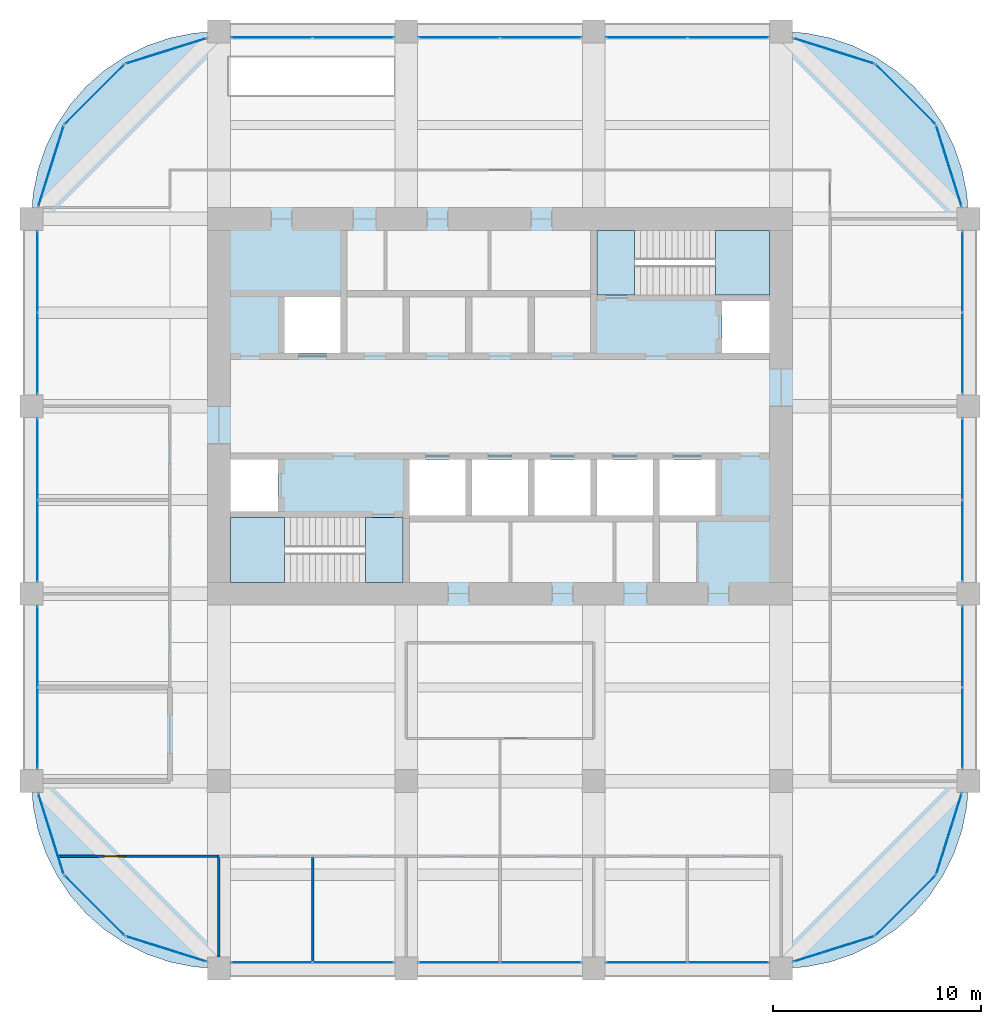
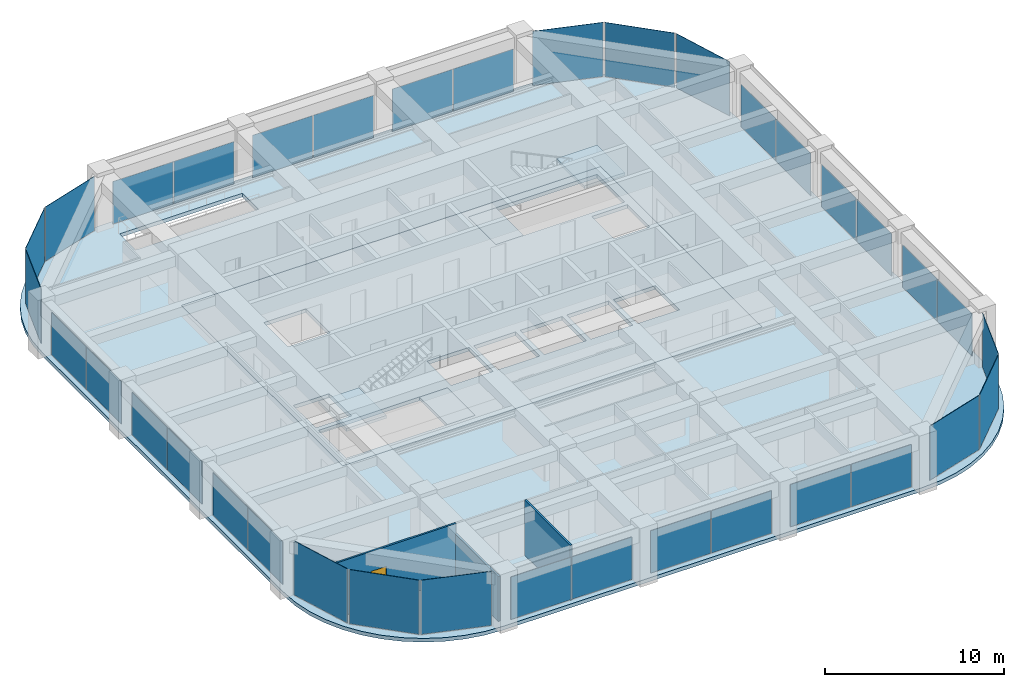
# One storey, part 40 of 44: 36 plates, 6 slabs, 3 walls, 1 door, 1 opening, 26 elements without a shape of their own.
"""IFC4 building model written with IfcOpenShell, lengths in metres."""

import ifcopenshell
import ifcopenshell.guid

model = None  # the IFC model being written
_history = None  # IfcOwnerHistory: only IFC2X3 demands one
_inside = {}  # id of a spatial element -> (the spatial element, [elements in it])
_under = {}  # id of a project, library or spatial element -> (it, [spatial elements below it])
_declared = {}  # id of a project -> (the project, [libraries it declares])
_typed = {}  # id of a type object -> (the type object, [elements of that type])
_made_of = {}  # id of a material, layer set ... -> (it, [elements and type objects made of it])


def new_model(schema):
    """Start an empty IFC model of exactly this schema.

    Asked for "IFC4X3", IfcOpenShell would pick the latest addendum, in which some entities
    have other attributes; the version numbers below select the first issue.
    IFC2X3 requires an IfcOwnerHistory on every rooted entity: one is made here for all.
    """
    global model, _history
    if schema == "IFC4X3":
        model = ifcopenshell.file(schema_version=(4, 3, 0, 0))
    else:
        model = ifcopenshell.file(schema=schema)
    _inside.clear()
    _under.clear()
    _declared.clear()
    _typed.clear()
    _made_of.clear()
    _history = None
    if model.schema == "IFC2X3":
        org = make("IfcOrganization", Name="unknown")
        user = make(
            "IfcPersonAndOrganization",
            ThePerson=make("IfcPerson", FamilyName="unknown"),
            TheOrganization=org,
        )
        app = make(
            "IfcApplication",
            ApplicationDeveloper=org,
            Version="unknown",
            ApplicationFullName="unknown",
            ApplicationIdentifier="unknown",
        )
        _history = make(
            "IfcOwnerHistory",
            OwningUser=user,
            OwningApplication=app,
            ChangeAction="ADDED",
            CreationDate=0,
        )
    return model


def make(cls, **values):
    """One entity of the class cls with the attributes given. An attribute that is None is left unset."""
    return model.create_entity(
        cls, **{name: value for name, value in values.items() if value is not None}
    )


def rooted(cls, **values):
    """An entity with a GlobalId (a new one), such as an element, a storey or a relation."""
    return make(cls, GlobalId=ifcopenshell.guid.new(), OwnerHistory=_history, **values)


def si_unit(unit_type, name, prefix=None):
    """IfcSIUnit, for example si_unit("LENGTHUNIT", "METRE", prefix="MILLI")."""
    return make("IfcSIUnit", UnitType=unit_type, Prefix=prefix, Name=name)


def assignment(units):
    """IfcUnitAssignment: the units of a project."""
    return None if units is None else make("IfcUnitAssignment", Units=units)


def point(xyz):
    """IfcCartesianPoint."""
    return None if xyz is None else make("IfcCartesianPoint", Coordinates=xyz)


def direction(xyz):
    """IfcDirection."""
    return None if xyz is None else make("IfcDirection", DirectionRatios=xyz)


def frame(location, z_axis=None, x_axis=None):
    """IfcAxis2Placement3D, a coordinate frame: its origin and axes. An axis left out is left unset."""
    return make(
        "IfcAxis2Placement3D",
        Location=point(location),
        Axis=direction(z_axis),
        RefDirection=direction(x_axis),
    )


def frame_2d(location, x_axis=None):
    """IfcAxis2Placement2D, a coordinate frame in the plane: its origin and x axis."""
    return make(
        "IfcAxis2Placement2D", Location=point(location), RefDirection=direction(x_axis)
    )


def origin():
    """The frame at (0, 0, 0) with its axes left unset."""
    return frame((0.0, 0.0, 0.0))


def origin_2d():
    """The frame at (0, 0) in the plane with its x axis left unset."""
    return frame_2d((0.0, 0.0))


def place(relative_to, where):
    """IfcLocalPlacement: puts the frame where relative to a parent placement (None: the world)."""
    return make(
        "IfcLocalPlacement", PlacementRelTo=relative_to, RelativePlacement=where
    )


def context(
    kind, dimensions, precision=None, world=None, true_north=None, identifier=None
):
    """IfcGeometricRepresentationContext, for example the 3D "Model" context."""
    return make(
        "IfcGeometricRepresentationContext",
        ContextIdentifier=identifier,
        ContextType=kind,
        CoordinateSpaceDimension=dimensions,
        Precision=precision,
        WorldCoordinateSystem=world,
        TrueNorth=true_north,
    )


def subcontext(parent, identifier, kind, view, scale=None):
    """IfcGeometricRepresentationSubContext, for example "Body" below "Model"."""
    return make(
        "IfcGeometricRepresentationSubContext",
        ContextIdentifier=identifier,
        ContextType=kind,
        ParentContext=parent,
        TargetScale=scale,
        TargetView=view,
    )


def project(units=None, contexts=None):
    """IfcProject with its units and contexts."""
    return rooted(
        "IfcProject",
        Name="project",
        RepresentationContexts=contexts,
        UnitsInContext=assignment(units),
    )


def spatial(cls, under=None, at=None, **own):
    """A site, building, storey or space (cls), placed at a placement, below another one or the project."""
    s = rooted(cls, ObjectPlacement=at, **own)
    if under is not None:
        _under.setdefault(under.id(), (under, []))[1].append(s)
    return s


def polyline(points):
    """IfcPolyline through the points."""
    return make("IfcPolyline", Points=[point(p) for p in points])


def profile(cls, at=None, kind="AREA", **sizes):
    """A parametric profile (cls). Its sizes go by their IFC names, for example OverallWidth=200.0."""
    return make(cls, ProfileType=kind, Position=at, **sizes)


def rectangle(**sizes):
    """IfcRectangleProfileDef."""
    return profile("IfcRectangleProfileDef", **sizes)


def outline(outer, holes=None, kind="AREA"):
    """IfcArbitraryClosedProfileDef: a profile drawn as a closed curve; with holes, ...WithVoids."""
    if holes is None:
        return make("IfcArbitraryClosedProfileDef", ProfileType=kind, OuterCurve=outer)
    return make(
        "IfcArbitraryProfileDefWithVoids",
        ProfileType=kind,
        OuterCurve=outer,
        InnerCurves=holes,
    )


def extrude(swept, where, along, depth):
    """IfcExtrudedAreaSolid: the profile swept, set in the frame where, extruded along a direction by depth."""
    return make(
        "IfcExtrudedAreaSolid",
        SweptArea=swept,
        Position=where,
        ExtrudedDirection=direction(along),
        Depth=depth,
    )


def shape(context_of_items, identifier, shape_type, items):
    """IfcShapeRepresentation: the items that make up one representation, for example the "Body"."""
    return make(
        "IfcShapeRepresentation",
        ContextOfItems=context_of_items,
        RepresentationIdentifier=identifier,
        RepresentationType=shape_type,
        Items=items,
    )


def material(Name=None, Category=None):
    """IfcMaterial."""
    return make("IfcMaterial", Name=Name, Category=Category)


def layer(
    of_material, thickness, ventilated=None, Name=None, Category=None, Priority=None
):
    """IfcMaterialLayer: one layer of a wall or slab, of a material (None: an air gap)."""
    return make(
        "IfcMaterialLayer",
        Material=of_material,
        LayerThickness=thickness,
        IsVentilated=ventilated,
        Name=Name,
        Category=Category,
        Priority=Priority,
    )


def layer_set(layers, Name=None):
    """IfcMaterialLayerSet."""
    return make("IfcMaterialLayerSet", MaterialLayers=layers, LayerSetName=Name)


def made_of(thing, what):
    """Note that an element or type object is made of a material, layer set ...; save() writes the relation."""
    if what is not None:
        _made_of.setdefault(what.id(), (what, []))[1].append(thing)
    return thing


def type_object(cls, material=None, **own):
    """A type object (cls), such as IfcWallType, which elements share."""
    return made_of(rooted(cls, **own), material)


def element(
    cls,
    number,
    at=None,
    inside=None,
    cuts=None,
    type_object=None,
    material=None,
    context=None,
    identifier="Body",
    shape_type=None,
    held_by="IfcProductDefinitionShape",
    body=None,
    shapes=None,
    **own,
):
    """One element of the class cls, such as IfcWall. Its Tag is "e" and its number.

    at: its placement. inside: the storey or other place that contains it. cuts: it is an
    opening in that element (IfcRelVoidsElement). A single representation is given by context,
    identifier, shape_type and body (its items); several are given by shapes. held_by: the class
    of the entity that holds the representations. save() writes the other relations.
    """
    e = rooted(cls, Tag="e%d" % number, ObjectPlacement=at, **own)
    if body is not None:
        shapes = [shape(context, identifier, shape_type, body)]
    if shapes is not None:
        e.Representation = make(held_by, Representations=shapes)
    if inside is not None:
        _inside.setdefault(inside.id(), (inside, []))[1].append(e)
    if cuts is not None:
        rooted(
            "IfcRelVoidsElement", RelatingBuildingElement=cuts, RelatedOpeningElement=e
        )
    if type_object is not None:
        _typed.setdefault(type_object.id(), (type_object, []))[1].append(e)
    return made_of(e, material)


def fill(opening, filler):
    """IfcRelFillsElement: the door or window that sits in an opening."""
    return rooted(
        "IfcRelFillsElement",
        RelatingOpeningElement=opening,
        RelatedBuildingElement=filler,
    )


def aggregate(whole, parts):
    """IfcRelAggregates: a whole, such as a stair, and the parts it consists of."""
    return rooted("IfcRelAggregates", RelatingObject=whole, RelatedObjects=parts)


def save(model, path):
    """Write the relations noted so far, then the file.

    IfcRelAggregates (storeys below a building ...), IfcRelContainedInSpatialStructure (elements
    in a storey), IfcRelDefinesByType, IfcRelAssociatesMaterial and IfcRelDeclares: one each for
    every whole, place, type object, material and project.
    """
    for whole, parts in _under.values():
        aggregate(whole, parts)
    for where, things in _inside.values():
        rooted(
            "IfcRelContainedInSpatialStructure",
            RelatedElements=things,
            RelatingStructure=where,
        )
    for kind, things in _typed.values():
        rooted("IfcRelDefinesByType", RelatedObjects=things, RelatingType=kind)
    for what, things in _made_of.values():
        rooted("IfcRelAssociatesMaterial", RelatedObjects=things, RelatingMaterial=what)
    for by, libraries in _declared.values():
        rooted("IfcRelDeclares", RelatingContext=by, RelatedDefinitions=libraries)
    model.write(path)


model = new_model("IFC4")

# Units and contexts
model_context = context("Model", 3, precision=1e-05, world=origin(), true_north=direction((0.0, 1.0)))
body_context = subcontext(model_context, "Body", "Model", "MODEL_VIEW")
ifc_project = project(units=[si_unit("LENGTHUNIT", "METRE"), si_unit("AREAUNIT", "SQUARE_METRE"), si_unit("VOLUMEUNIT", "CUBIC_METRE"), si_unit("PLANEANGLEUNIT", "RADIAN"), si_unit("MASSUNIT", "GRAM", prefix="KILO")], contexts=[model_context])

# Site, building, storey
site_placement = place(None, origin())
site = spatial("IfcSite", under=ifc_project, at=site_placement, CompositionType="ELEMENT")
building_placement = place(site_placement, origin())
building = spatial("IfcBuilding", under=site, at=building_placement, Name="Zorevar Civic Tower", CompositionType="ELEMENT")
storey_placement = place(building_placement, frame((0.0, 0.0, 275.39990234375)))
storey = spatial("IfcBuildingStorey", under=building, at=storey_placement, Name="L67", CompositionType="ELEMENT", Elevation=275.39990234375)

# Curtain wall, plates
ifc_material_1 = material(Name="Dark grey solar-control glass in black aluminium frame", Category="aluminium")
curtain_wall_type = type_object("IfcCurtainWallType", Name="Curtain wall CW5 top zone", PredefinedType="NOTDEFINED", material=ifc_material_1)
curtain_wall_1_placement = place(storey_placement, origin())
curtain_wall_1 = element("IfcCurtainWall", 1, at=curtain_wall_1_placement, inside=storey, type_object=curtain_wall_type, Name="CW5 L67", PredefinedType="NOTDEFINED")
ifc_material_2 = material(Name="Dark grey solar-control glass", Category="glass")
ifc_layer_1 = layer(ifc_material_2, 0.028076171875)
ifc_layer_set_1 = layer_set([ifc_layer_1], Name="CW5 panel 28")
plate_type = type_object("IfcPlateType", Name="CW5 panel 28", PredefinedType="CURTAIN_PANEL", material=ifc_layer_set_1)
plate_1_placement = place(storey_placement, frame((20.5400390625, 0.300048828125, 0.06005859375), z_axis=(0.0, 0.0, 1.0), x_axis=(1.0, 0.0, 0.0)))
plate_1 = element("IfcPlate", 2, at=plate_1_placement, type_object=plate_type, Name="CW5 panel 1.1", PredefinedType="CURTAIN_PANEL", context=body_context, shape_type="SweptSolid", body=[
    extrude(rectangle(XDim=3.860107421875, YDim=0.028076171875, at=origin_2d()), origin(), (0.0, 0.0, 1.0), 2.889892578125),
])
plate_2_placement = place(storey_placement, frame((24.4599609375, 0.300048828125, 0.06005859375), z_axis=(0.0, 0.0, 1.0), x_axis=(1.0, 0.0, 0.0)))
plate_2 = element("IfcPlate", 3, at=plate_2_placement, type_object=plate_type, Name="CW5 panel 2.1", PredefinedType="CURTAIN_PANEL", context=body_context, shape_type="SweptSolid", body=[
    extrude(rectangle(XDim=3.860107421875, YDim=0.028076171875, at=origin_2d()), origin(), (0.0, 0.0, 1.0), 2.889892578125),
])
aggregate(curtain_wall_1, [plate_1, plate_2])

curtain_wall_2_placement = place(storey_placement, origin())
curtain_wall_2 = element("IfcCurtainWall", 4, at=curtain_wall_2_placement, inside=storey, type_object=curtain_wall_type, Name="CW5 L67", PredefinedType="NOTDEFINED")
plate_3_placement = place(storey_placement, frame((20.5400390625, 44.699951171875, 0.06005859375), z_axis=(0.0, 0.0, 1.0), x_axis=(1.0, 0.0, 0.0)))
plate_3 = element("IfcPlate", 5, at=plate_3_placement, type_object=plate_type, Name="CW5 panel 1.1", PredefinedType="CURTAIN_PANEL", context=body_context, shape_type="SweptSolid", body=[
    extrude(rectangle(XDim=3.860107421875, YDim=0.028076171875, at=origin_2d()), origin(), (0.0, 0.0, 1.0), 2.889892578125),
])
plate_4_placement = place(storey_placement, frame((24.4599609375, 44.699951171875, 0.06005859375), z_axis=(0.0, 0.0, 1.0), x_axis=(1.0, 0.0, 0.0)))
plate_4 = element("IfcPlate", 6, at=plate_4_placement, type_object=plate_type, Name="CW5 panel 2.1", PredefinedType="CURTAIN_PANEL", context=body_context, shape_type="SweptSolid", body=[
    extrude(rectangle(XDim=3.860107421875, YDim=0.028076171875, at=origin_2d()), origin(), (0.0, 0.0, 1.0), 2.889892578125),
])
aggregate(curtain_wall_2, [plate_3, plate_4])

curtain_wall_3_placement = place(storey_placement, origin())
curtain_wall_3 = element("IfcCurtainWall", 7, at=curtain_wall_3_placement, inside=storey, type_object=curtain_wall_type, Name="CW5 L67", PredefinedType="NOTDEFINED")
plate_5_placement = place(storey_placement, frame((29.5400390625, 0.300048828125, 0.06005859375), z_axis=(0.0, 0.0, 1.0), x_axis=(1.0, 0.0, 0.0)))
plate_5 = element("IfcPlate", 8, at=plate_5_placement, type_object=plate_type, Name="CW5 panel 1.1", PredefinedType="CURTAIN_PANEL", context=body_context, shape_type="SweptSolid", body=[
    extrude(rectangle(XDim=3.860107421875, YDim=0.028076171875, at=origin_2d()), origin(), (0.0, 0.0, 1.0), 2.889892578125),
])
plate_6_placement = place(storey_placement, frame((33.4599609375, 0.300048828125, 0.06005859375), z_axis=(0.0, 0.0, 1.0), x_axis=(1.0, 0.0, 0.0)))
plate_6 = element("IfcPlate", 9, at=plate_6_placement, type_object=plate_type, Name="CW5 panel 2.1", PredefinedType="CURTAIN_PANEL", context=body_context, shape_type="SweptSolid", body=[
    extrude(rectangle(XDim=3.860107421875, YDim=0.028076171875, at=origin_2d()), origin(), (0.0, 0.0, 1.0), 2.889892578125),
])
aggregate(curtain_wall_3, [plate_5, plate_6])

curtain_wall_4_placement = place(storey_placement, origin())
curtain_wall_4 = element("IfcCurtainWall", 10, at=curtain_wall_4_placement, inside=storey, type_object=curtain_wall_type, Name="CW5 L67", PredefinedType="NOTDEFINED")
plate_7_placement = place(storey_placement, frame((29.5400390625, 44.699951171875, 0.06005859375), z_axis=(0.0, 0.0, 1.0), x_axis=(1.0, 0.0, 0.0)))
plate_7 = element("IfcPlate", 11, at=plate_7_placement, type_object=plate_type, Name="CW5 panel 1.1", PredefinedType="CURTAIN_PANEL", context=body_context, shape_type="SweptSolid", body=[
    extrude(rectangle(XDim=3.860107421875, YDim=0.028076171875, at=origin_2d()), origin(), (0.0, 0.0, 1.0), 2.889892578125),
])
plate_8_placement = place(storey_placement, frame((33.4599609375, 44.699951171875, 0.06005859375), z_axis=(0.0, 0.0, 1.0), x_axis=(1.0, 0.0, 0.0)))
plate_8 = element("IfcPlate", 12, at=plate_8_placement, type_object=plate_type, Name="CW5 panel 2.1", PredefinedType="CURTAIN_PANEL", context=body_context, shape_type="SweptSolid", body=[
    extrude(rectangle(XDim=3.860107421875, YDim=0.028076171875, at=origin_2d()), origin(), (0.0, 0.0, 1.0), 2.889892578125),
])
aggregate(curtain_wall_4, [plate_7, plate_8])

curtain_wall_5_placement = place(storey_placement, origin())
curtain_wall_5 = element("IfcCurtainWall", 13, at=curtain_wall_5_placement, inside=storey, type_object=curtain_wall_type, Name="CW5 L67", PredefinedType="NOTDEFINED")
plate_9_placement = place(storey_placement, frame((38.5400390625, 0.300048828125, 0.06005859375), z_axis=(0.0, 0.0, 1.0), x_axis=(1.0, 0.0, 0.0)))
plate_9 = element("IfcPlate", 14, at=plate_9_placement, type_object=plate_type, Name="CW5 panel 1.1", PredefinedType="CURTAIN_PANEL", context=body_context, shape_type="SweptSolid", body=[
    extrude(rectangle(XDim=3.860107421875, YDim=0.028076171875, at=origin_2d()), origin(), (0.0, 0.0, 1.0), 2.889892578125),
])
plate_10_placement = place(storey_placement, frame((42.4599609375, 0.300048828125, 0.06005859375), z_axis=(0.0, 0.0, 1.0), x_axis=(1.0, 0.0, 0.0)))
plate_10 = element("IfcPlate", 15, at=plate_10_placement, type_object=plate_type, Name="CW5 panel 2.1", PredefinedType="CURTAIN_PANEL", context=body_context, shape_type="SweptSolid", body=[
    extrude(rectangle(XDim=3.860107421875, YDim=0.028076171875, at=origin_2d()), origin(), (0.0, 0.0, 1.0), 2.889892578125),
])
aggregate(curtain_wall_5, [plate_9, plate_10])

curtain_wall_6_placement = place(storey_placement, origin())
curtain_wall_6 = element("IfcCurtainWall", 16, at=curtain_wall_6_placement, inside=storey, type_object=curtain_wall_type, Name="CW5 L67", PredefinedType="NOTDEFINED")
plate_11_placement = place(storey_placement, frame((38.5400390625, 44.699951171875, 0.06005859375), z_axis=(0.0, 0.0, 1.0), x_axis=(1.0, 0.0, 0.0)))
plate_11 = element("IfcPlate", 17, at=plate_11_placement, type_object=plate_type, Name="CW5 panel 1.1", PredefinedType="CURTAIN_PANEL", context=body_context, shape_type="SweptSolid", body=[
    extrude(rectangle(XDim=3.860107421875, YDim=0.028076171875, at=origin_2d()), origin(), (0.0, 0.0, 1.0), 2.889892578125),
])
plate_12_placement = place(storey_placement, frame((42.4599609375, 44.699951171875, 0.06005859375), z_axis=(0.0, 0.0, 1.0), x_axis=(1.0, 0.0, 0.0)))
plate_12 = element("IfcPlate", 18, at=plate_12_placement, type_object=plate_type, Name="CW5 panel 2.1", PredefinedType="CURTAIN_PANEL", context=body_context, shape_type="SweptSolid", body=[
    extrude(rectangle(XDim=3.860107421875, YDim=0.028076171875, at=origin_2d()), origin(), (0.0, 0.0, 1.0), 2.889892578125),
])
aggregate(curtain_wall_6, [plate_11, plate_12])

curtain_wall_7_placement = place(storey_placement, origin())
curtain_wall_7 = element("IfcCurtainWall", 19, at=curtain_wall_7_placement, inside=storey, type_object=curtain_wall_type, Name="CW5 L67", PredefinedType="NOTDEFINED")
plate_13_placement = place(storey_placement, frame((9.300048828125, 11.5400390625, 0.06005859375), z_axis=(0.0, 0.0, 1.0), x_axis=(0.0, 1.0, 0.0)))
plate_13 = element("IfcPlate", 20, at=plate_13_placement, type_object=plate_type, Name="CW5 panel 1.1", PredefinedType="CURTAIN_PANEL", context=body_context, shape_type="SweptSolid", body=[
    extrude(rectangle(XDim=3.860107421875, YDim=0.028076171875, at=origin_2d()), origin(), (0.0, 0.0, 1.0), 2.889892578125),
])
plate_14_placement = place(storey_placement, frame((9.300048828125, 15.4599609375, 0.06005859375), z_axis=(0.0, 0.0, 1.0), x_axis=(0.0, 1.0, 0.0)))
plate_14 = element("IfcPlate", 21, at=plate_14_placement, type_object=plate_type, Name="CW5 panel 2.1", PredefinedType="CURTAIN_PANEL", context=body_context, shape_type="SweptSolid", body=[
    extrude(rectangle(XDim=3.860107421875, YDim=0.028076171875, at=origin_2d()), origin(), (0.0, 0.0, 1.0), 2.889892578125),
])
aggregate(curtain_wall_7, [plate_13, plate_14])

curtain_wall_8_placement = place(storey_placement, origin())
curtain_wall_8 = element("IfcCurtainWall", 22, at=curtain_wall_8_placement, inside=storey, type_object=curtain_wall_type, Name="CW5 L67", PredefinedType="NOTDEFINED")
plate_15_placement = place(storey_placement, frame((53.699951171875, 11.5400390625, 0.06005859375), z_axis=(0.0, 0.0, 1.0), x_axis=(0.0, 1.0, 0.0)))
plate_15 = element("IfcPlate", 23, at=plate_15_placement, type_object=plate_type, Name="CW5 panel 1.1", PredefinedType="CURTAIN_PANEL", context=body_context, shape_type="SweptSolid", body=[
    extrude(rectangle(XDim=3.860107421875, YDim=0.028076171875, at=origin_2d()), origin(), (0.0, 0.0, 1.0), 2.889892578125),
])
plate_16_placement = place(storey_placement, frame((53.699951171875, 15.4599609375, 0.06005859375), z_axis=(0.0, 0.0, 1.0), x_axis=(0.0, 1.0, 0.0)))
plate_16 = element("IfcPlate", 24, at=plate_16_placement, type_object=plate_type, Name="CW5 panel 2.1", PredefinedType="CURTAIN_PANEL", context=body_context, shape_type="SweptSolid", body=[
    extrude(rectangle(XDim=3.860107421875, YDim=0.028076171875, at=origin_2d()), origin(), (0.0, 0.0, 1.0), 2.889892578125),
])
aggregate(curtain_wall_8, [plate_15, plate_16])

curtain_wall_9_placement = place(storey_placement, origin())
curtain_wall_9 = element("IfcCurtainWall", 25, at=curtain_wall_9_placement, inside=storey, type_object=curtain_wall_type, Name="CW5 L67", PredefinedType="NOTDEFINED")
plate_17_placement = place(storey_placement, frame((9.300048828125, 20.5400390625, 0.06005859375), z_axis=(0.0, 0.0, 1.0), x_axis=(0.0, 1.0, 0.0)))
plate_17 = element("IfcPlate", 26, at=plate_17_placement, type_object=plate_type, Name="CW5 panel 1.1", PredefinedType="CURTAIN_PANEL", context=body_context, shape_type="SweptSolid", body=[
    extrude(rectangle(XDim=3.860107421875, YDim=0.028076171875, at=origin_2d()), origin(), (0.0, 0.0, 1.0), 2.889892578125),
])
plate_18_placement = place(storey_placement, frame((9.300048828125, 24.4599609375, 0.06005859375), z_axis=(0.0, 0.0, 1.0), x_axis=(0.0, 1.0, 0.0)))
plate_18 = element("IfcPlate", 27, at=plate_18_placement, type_object=plate_type, Name="CW5 panel 2.1", PredefinedType="CURTAIN_PANEL", context=body_context, shape_type="SweptSolid", body=[
    extrude(rectangle(XDim=3.860107421875, YDim=0.028076171875, at=origin_2d()), origin(), (0.0, 0.0, 1.0), 2.889892578125),
])
aggregate(curtain_wall_9, [plate_17, plate_18])

curtain_wall_10_placement = place(storey_placement, origin())
curtain_wall_10 = element("IfcCurtainWall", 28, at=curtain_wall_10_placement, inside=storey, type_object=curtain_wall_type, Name="CW5 L67", PredefinedType="NOTDEFINED")
plate_19_placement = place(storey_placement, frame((53.699951171875, 20.5400390625, 0.06005859375), z_axis=(0.0, 0.0, 1.0), x_axis=(0.0, 1.0, 0.0)))
plate_19 = element("IfcPlate", 29, at=plate_19_placement, type_object=plate_type, Name="CW5 panel 1.1", PredefinedType="CURTAIN_PANEL", context=body_context, shape_type="SweptSolid", body=[
    extrude(rectangle(XDim=3.860107421875, YDim=0.028076171875, at=origin_2d()), origin(), (0.0, 0.0, 1.0), 2.889892578125),
])
plate_20_placement = place(storey_placement, frame((53.699951171875, 24.4599609375, 0.06005859375), z_axis=(0.0, 0.0, 1.0), x_axis=(0.0, 1.0, 0.0)))
plate_20 = element("IfcPlate", 30, at=plate_20_placement, type_object=plate_type, Name="CW5 panel 2.1", PredefinedType="CURTAIN_PANEL", context=body_context, shape_type="SweptSolid", body=[
    extrude(rectangle(XDim=3.860107421875, YDim=0.028076171875, at=origin_2d()), origin(), (0.0, 0.0, 1.0), 2.889892578125),
])
aggregate(curtain_wall_10, [plate_19, plate_20])

curtain_wall_11_placement = place(storey_placement, origin())
curtain_wall_11 = element("IfcCurtainWall", 31, at=curtain_wall_11_placement, inside=storey, type_object=curtain_wall_type, Name="CW5 L67", PredefinedType="NOTDEFINED")
plate_21_placement = place(storey_placement, frame((9.300048828125, 29.5400390625, 0.06005859375), z_axis=(0.0, 0.0, 1.0), x_axis=(0.0, 1.0, 0.0)))
plate_21 = element("IfcPlate", 32, at=plate_21_placement, type_object=plate_type, Name="CW5 panel 1.1", PredefinedType="CURTAIN_PANEL", context=body_context, shape_type="SweptSolid", body=[
    extrude(rectangle(XDim=3.860107421875, YDim=0.028076171875, at=origin_2d()), origin(), (0.0, 0.0, 1.0), 2.889892578125),
])
plate_22_placement = place(storey_placement, frame((9.300048828125, 33.4599609375, 0.06005859375), z_axis=(0.0, 0.0, 1.0), x_axis=(0.0, 1.0, 0.0)))
plate_22 = element("IfcPlate", 33, at=plate_22_placement, type_object=plate_type, Name="CW5 panel 2.1", PredefinedType="CURTAIN_PANEL", context=body_context, shape_type="SweptSolid", body=[
    extrude(rectangle(XDim=3.860107421875, YDim=0.028076171875, at=origin_2d()), origin(), (0.0, 0.0, 1.0), 2.889892578125),
])
aggregate(curtain_wall_11, [plate_21, plate_22])

curtain_wall_12_placement = place(storey_placement, origin())
curtain_wall_12 = element("IfcCurtainWall", 34, at=curtain_wall_12_placement, inside=storey, type_object=curtain_wall_type, Name="CW5 L67", PredefinedType="NOTDEFINED")
plate_23_placement = place(storey_placement, frame((53.699951171875, 29.5400390625, 0.06005859375), z_axis=(0.0, 0.0, 1.0), x_axis=(0.0, 1.0, 0.0)))
plate_23 = element("IfcPlate", 35, at=plate_23_placement, type_object=plate_type, Name="CW5 panel 1.1", PredefinedType="CURTAIN_PANEL", context=body_context, shape_type="SweptSolid", body=[
    extrude(rectangle(XDim=3.860107421875, YDim=0.028076171875, at=origin_2d()), origin(), (0.0, 0.0, 1.0), 2.889892578125),
])
plate_24_placement = place(storey_placement, frame((53.699951171875, 33.4599609375, 0.06005859375), z_axis=(0.0, 0.0, 1.0), x_axis=(0.0, 1.0, 0.0)))
plate_24 = element("IfcPlate", 36, at=plate_24_placement, type_object=plate_type, Name="CW5 panel 2.1", PredefinedType="CURTAIN_PANEL", context=body_context, shape_type="SweptSolid", body=[
    extrude(rectangle(XDim=3.860107421875, YDim=0.028076171875, at=origin_2d()), origin(), (0.0, 0.0, 1.0), 2.889892578125),
])
aggregate(curtain_wall_12, [plate_23, plate_24])

# Curtain wall, plate
curtain_wall_13_placement = place(storey_placement, origin())
curtain_wall_13 = element("IfcCurtainWall", 37, at=curtain_wall_13_placement, inside=storey, type_object=curtain_wall_type, Name="CW5 L67", PredefinedType="NOTDEFINED")
plate_25_placement = place(storey_placement, frame((47.52880859375, 0.938232421875, 0.06005859375), z_axis=(0.0, 0.0, 1.0), x_axis=(0.954153437674, 0.299317920238, 0.0)))
plate_25 = element("IfcPlate", 38, at=plate_25_placement, type_object=plate_type, Name="CW5 panel 1.1", PredefinedType="CURTAIN_PANEL", context=body_context, shape_type="SweptSolid", body=[
    extrude(rectangle(XDim=4.028076171875, YDim=0.028076171875, at=origin_2d()), origin(), (0.0, 0.0, 1.0), 3.68994140625),
])
aggregate(curtain_wall_13, [plate_25])

curtain_wall_14_placement = place(storey_placement, origin())
curtain_wall_14 = element("IfcCurtainWall", 39, at=curtain_wall_14_placement, inside=storey, type_object=curtain_wall_type, Name="CW5 L67", PredefinedType="NOTDEFINED")
plate_26_placement = place(storey_placement, frame((50.974365234375, 3.025634765625, 0.06005859375), z_axis=(0.0, 0.0, 1.0), x_axis=(0.707106781187, 0.707106781187, 0.0)))
plate_26 = element("IfcPlate", 40, at=plate_26_placement, type_object=plate_type, Name="CW5 panel 1.1", PredefinedType="CURTAIN_PANEL", context=body_context, shape_type="SweptSolid", body=[
    extrude(rectangle(XDim=4.028076171875, YDim=0.028076171875, at=origin_2d()), origin(), (0.0, 0.0, 1.0), 3.68994140625),
])
aggregate(curtain_wall_14, [plate_26])

curtain_wall_15_placement = place(storey_placement, origin())
curtain_wall_15 = element("IfcCurtainWall", 41, at=curtain_wall_15_placement, inside=storey, type_object=curtain_wall_type, Name="CW5 L67", PredefinedType="NOTDEFINED")
plate_27_placement = place(storey_placement, frame((53.061767578125, 6.47119140625, 0.06005859375), z_axis=(0.0, 0.0, 1.0), x_axis=(0.299317920238, 0.954153437674, 0.0)))
plate_27 = element("IfcPlate", 42, at=plate_27_placement, type_object=plate_type, Name="CW5 panel 1.1", PredefinedType="CURTAIN_PANEL", context=body_context, shape_type="SweptSolid", body=[
    extrude(rectangle(XDim=4.028076171875, YDim=0.028076171875, at=origin_2d()), origin(), (0.0, 0.0, 1.0), 3.68994140625),
])
aggregate(curtain_wall_15, [plate_27])

curtain_wall_16_placement = place(storey_placement, origin())
curtain_wall_16 = element("IfcCurtainWall", 43, at=curtain_wall_16_placement, inside=storey, type_object=curtain_wall_type, Name="CW5 L67", PredefinedType="NOTDEFINED")
plate_28_placement = place(storey_placement, frame((53.061767578125, 38.52880859375, 0.06005859375), z_axis=(0.0, 0.0, 1.0), x_axis=(-0.299317920238, 0.954153437674, 0.0)))
plate_28 = element("IfcPlate", 44, at=plate_28_placement, type_object=plate_type, Name="CW5 panel 1.1", PredefinedType="CURTAIN_PANEL", context=body_context, shape_type="SweptSolid", body=[
    extrude(rectangle(XDim=4.028076171875, YDim=0.028076171875, at=origin_2d()), origin(), (0.0, 0.0, 1.0), 3.68994140625),
])
aggregate(curtain_wall_16, [plate_28])

curtain_wall_17_placement = place(storey_placement, origin())
curtain_wall_17 = element("IfcCurtainWall", 45, at=curtain_wall_17_placement, inside=storey, type_object=curtain_wall_type, Name="CW5 L67", PredefinedType="NOTDEFINED")
plate_29_placement = place(storey_placement, frame((50.974365234375, 41.974365234375, 0.06005859375), z_axis=(0.0, 0.0, 1.0), x_axis=(-0.707106781187, 0.707106781187, 0.0)))
plate_29 = element("IfcPlate", 46, at=plate_29_placement, type_object=plate_type, Name="CW5 panel 1.1", PredefinedType="CURTAIN_PANEL", context=body_context, shape_type="SweptSolid", body=[
    extrude(rectangle(XDim=4.028076171875, YDim=0.028076171875, at=origin_2d()), origin(), (0.0, 0.0, 1.0), 3.68994140625),
])
aggregate(curtain_wall_17, [plate_29])

curtain_wall_18_placement = place(storey_placement, origin())
curtain_wall_18 = element("IfcCurtainWall", 47, at=curtain_wall_18_placement, inside=storey, type_object=curtain_wall_type, Name="CW5 L67", PredefinedType="NOTDEFINED")
plate_30_placement = place(storey_placement, frame((47.52880859375, 44.061767578125, 0.06005859375), z_axis=(0.0, 0.0, 1.0), x_axis=(-0.954153437674, 0.299317920238, 0.0)))
plate_30 = element("IfcPlate", 48, at=plate_30_placement, type_object=plate_type, Name="CW5 panel 1.1", PredefinedType="CURTAIN_PANEL", context=body_context, shape_type="SweptSolid", body=[
    extrude(rectangle(XDim=4.028076171875, YDim=0.028076171875, at=origin_2d()), origin(), (0.0, 0.0, 1.0), 3.68994140625),
])
aggregate(curtain_wall_18, [plate_30])

curtain_wall_19_placement = place(storey_placement, origin())
curtain_wall_19 = element("IfcCurtainWall", 49, at=curtain_wall_19_placement, inside=storey, type_object=curtain_wall_type, Name="CW5 L67", PredefinedType="NOTDEFINED")
plate_31_placement = place(storey_placement, frame((15.47119140625, 44.061767578125, 0.06005859375), z_axis=(0.0, 0.0, 1.0), x_axis=(-0.954153437674, -0.299317920238, 0.0)))
plate_31 = element("IfcPlate", 50, at=plate_31_placement, type_object=plate_type, Name="CW5 panel 1.1", PredefinedType="CURTAIN_PANEL", context=body_context, shape_type="SweptSolid", body=[
    extrude(rectangle(XDim=4.028076171875, YDim=0.028076171875, at=origin_2d()), origin(), (0.0, 0.0, 1.0), 3.68994140625),
])
aggregate(curtain_wall_19, [plate_31])

curtain_wall_20_placement = place(storey_placement, origin())
curtain_wall_20 = element("IfcCurtainWall", 51, at=curtain_wall_20_placement, inside=storey, type_object=curtain_wall_type, Name="CW5 L67", PredefinedType="NOTDEFINED")
plate_32_placement = place(storey_placement, frame((12.025634765625, 41.974365234375, 0.06005859375), z_axis=(0.0, 0.0, 1.0), x_axis=(-0.707106781187, -0.707106781187, 0.0)))
plate_32 = element("IfcPlate", 52, at=plate_32_placement, type_object=plate_type, Name="CW5 panel 1.1", PredefinedType="CURTAIN_PANEL", context=body_context, shape_type="SweptSolid", body=[
    extrude(rectangle(XDim=4.028076171875, YDim=0.028076171875, at=origin_2d()), origin(), (0.0, 0.0, 1.0), 3.68994140625),
])
aggregate(curtain_wall_20, [plate_32])

curtain_wall_21_placement = place(storey_placement, origin())
curtain_wall_21 = element("IfcCurtainWall", 53, at=curtain_wall_21_placement, inside=storey, type_object=curtain_wall_type, Name="CW5 L67", PredefinedType="NOTDEFINED")
plate_33_placement = place(storey_placement, frame((9.938232421875, 38.52880859375, 0.06005859375), z_axis=(0.0, 0.0, 1.0), x_axis=(-0.299317920238, -0.954153437674, 0.0)))
plate_33 = element("IfcPlate", 54, at=plate_33_placement, type_object=plate_type, Name="CW5 panel 1.1", PredefinedType="CURTAIN_PANEL", context=body_context, shape_type="SweptSolid", body=[
    extrude(rectangle(XDim=4.028076171875, YDim=0.028076171875, at=origin_2d()), origin(), (0.0, 0.0, 1.0), 3.68994140625),
])
aggregate(curtain_wall_21, [plate_33])

curtain_wall_22_placement = place(storey_placement, origin())
curtain_wall_22 = element("IfcCurtainWall", 55, at=curtain_wall_22_placement, inside=storey, type_object=curtain_wall_type, Name="CW5 L67", PredefinedType="NOTDEFINED")
plate_34_placement = place(storey_placement, frame((9.938232421875, 6.47119140625, 0.06005859375), z_axis=(0.0, 0.0, 1.0), x_axis=(0.299317920238, -0.954153437674, 0.0)))
plate_34 = element("IfcPlate", 56, at=plate_34_placement, type_object=plate_type, Name="CW5 panel 1.1", PredefinedType="CURTAIN_PANEL", context=body_context, shape_type="SweptSolid", body=[
    extrude(rectangle(XDim=4.028076171875, YDim=0.028076171875, at=origin_2d()), origin(), (0.0, 0.0, 1.0), 3.68994140625),
])
aggregate(curtain_wall_22, [plate_34])

curtain_wall_23_placement = place(storey_placement, origin())
curtain_wall_23 = element("IfcCurtainWall", 57, at=curtain_wall_23_placement, inside=storey, type_object=curtain_wall_type, Name="CW5 L67", PredefinedType="NOTDEFINED")
plate_35_placement = place(storey_placement, frame((12.025634765625, 3.025634765625, 0.06005859375), z_axis=(0.0, 0.0, 1.0), x_axis=(0.707106781187, -0.707106781187, 0.0)))
plate_35 = element("IfcPlate", 58, at=plate_35_placement, type_object=plate_type, Name="CW5 panel 1.1", PredefinedType="CURTAIN_PANEL", context=body_context, shape_type="SweptSolid", body=[
    extrude(rectangle(XDim=4.028076171875, YDim=0.028076171875, at=origin_2d()), origin(), (0.0, 0.0, 1.0), 3.68994140625),
])
aggregate(curtain_wall_23, [plate_35])

curtain_wall_24_placement = place(storey_placement, origin())
curtain_wall_24 = element("IfcCurtainWall", 59, at=curtain_wall_24_placement, inside=storey, type_object=curtain_wall_type, Name="CW5 L67", PredefinedType="NOTDEFINED")
plate_36_placement = place(storey_placement, frame((15.47119140625, 0.938232421875, 0.06005859375), z_axis=(0.0, 0.0, 1.0), x_axis=(0.954153437674, -0.299317920238, 0.0)))
plate_36 = element("IfcPlate", 60, at=plate_36_placement, type_object=plate_type, Name="CW5 panel 1.1", PredefinedType="CURTAIN_PANEL", context=body_context, shape_type="SweptSolid", body=[
    extrude(rectangle(XDim=4.028076171875, YDim=0.028076171875, at=origin_2d()), origin(), (0.0, 0.0, 1.0), 3.68994140625),
])
aggregate(curtain_wall_24, [plate_36])

# Slabs
ifc_material_3 = material(Name="Concrete C40/50", Category="concrete")
ifc_layer_2 = layer(ifc_material_3, 0.25)
ifc_layer_set_2 = layer_set([ifc_layer_2], Name="Floor slab 250")
slab_type_1 = type_object("IfcSlabType", Name="Floor slab 250", PredefinedType="FLOOR", material=ifc_layer_set_2)
slab_1_placement = place(storey_placement, frame((0.0, 0.0, -0.25)))
element("IfcSlab", 61, at=slab_1_placement, inside=storey, type_object=slab_type_1, Name="Floor slab L67", PredefinedType="FLOOR", context=body_context, shape_type="SweptSolid", body=[
    extrude(outline(polyline([(45.0, 0.0), (46.1748046875, 0.076904296875), (47.329345703125, 0.306640625), (48.444091796875, 0.68505859375), (49.5, 1.205810546875), (50.478759765625, 1.85986328125), (51.364013671875, 2.635986328125), (52.14013671875, 3.521240234375), (52.794189453125, 4.5), (53.31494140625, 5.555908203125), (53.693359375, 6.670654296875), (53.923095703125, 7.8251953125), (54.0, 9.0), (54.0, 36.0), (53.923095703125, 37.1748046875), (53.693359375, 38.329345703125), (53.31494140625, 39.444091796875), (52.794189453125, 40.5), (52.14013671875, 41.478759765625), (51.364013671875, 42.364013671875), (50.478759765625, 43.14013671875), (49.5, 43.794189453125), (48.444091796875, 44.31494140625), (47.329345703125, 44.693359375), (46.1748046875, 44.923095703125), (45.0, 45.0), (18.0, 45.0), (16.8251953125, 44.923095703125), (15.670654296875, 44.693359375), (14.555908203125, 44.31494140625), (13.5, 43.794189453125), (12.521240234375, 43.14013671875), (11.635986328125, 42.364013671875), (10.85986328125, 41.478759765625), (10.205810546875, 40.5), (9.68505859375, 39.444091796875), (9.306640625, 38.329345703125), (9.076904296875, 37.1748046875), (9.0, 36.0), (9.0, 9.0), (9.076904296875, 7.8251953125), (9.306640625, 6.670654296875), (9.68505859375, 5.555908203125), (10.205810546875, 4.5), (10.85986328125, 3.521240234375), (11.635986328125, 2.635986328125), (12.521240234375, 1.85986328125), (13.5, 1.205810546875), (14.555908203125, 0.68505859375), (15.670654296875, 0.306640625), (16.8251953125, 0.076904296875), (18.0, 0.0), (45.0, 0.0)]), holes=[polyline([(18.0, 18.0), (45.0, 18.0), (45.0, 36.0), (18.0, 36.0), (18.0, 18.0)]), polyline([(18.5, 41.949951171875), (26.39990234375, 41.949951171875), (26.39990234375, 43.75), (18.5, 43.75), (18.5, 41.949951171875)])]), origin(), (0.0, 0.0, 1.0), 0.25),
])
slab_2_placement = place(storey_placement, frame((0.0, 0.0, -0.25)))
element("IfcSlab", 62, at=slab_2_placement, inside=storey, type_object=slab_type_1, Name="Core floor L67", PredefinedType="FLOOR", context=body_context, shape_type="SweptSolid", body=[
    extrude(outline(polyline([(18.0, 18.0), (45.0, 18.0), (45.0, 36.0), (18.0, 36.0), (18.0, 18.0)]), holes=[polyline([(18.550048828125, 18.550048828125), (26.85009765625, 18.550048828125), (26.85009765625, 21.64990234375), (18.550048828125, 21.64990234375), (18.550048828125, 18.550048828125)]), polyline([(36.14990234375, 32.35009765625), (44.449951171875, 32.35009765625), (44.449951171875, 35.449951171875), (36.14990234375, 35.449951171875), (36.14990234375, 32.35009765625)]), polyline([(18.550048828125, 21.949951171875), (20.85009765625, 21.949951171875), (20.85009765625, 24.449951171875), (18.550048828125, 24.449951171875), (18.550048828125, 21.949951171875)]), polyline([(42.14990234375, 29.550048828125), (44.449951171875, 29.550048828125), (44.449951171875, 32.050048828125), (42.14990234375, 32.050048828125), (42.14990234375, 29.550048828125)]), polyline([(27.14990234375, 21.75), (29.85009765625, 21.75), (29.85009765625, 24.449951171875), (27.14990234375, 24.449951171875), (27.14990234375, 21.75)]), polyline([(30.14990234375, 21.75), (32.85009765625, 21.75), (32.85009765625, 24.449951171875), (30.14990234375, 24.449951171875), (30.14990234375, 21.75)]), polyline([(33.14990234375, 21.75), (35.85009765625, 21.75), (35.85009765625, 24.449951171875), (33.14990234375, 24.449951171875), (33.14990234375, 21.75)]), polyline([(36.14990234375, 21.75), (38.85009765625, 21.75), (38.85009765625, 24.449951171875), (36.14990234375, 24.449951171875), (36.14990234375, 21.75)]), polyline([(39.14990234375, 21.75), (41.85009765625, 21.75), (41.85009765625, 24.449951171875), (39.14990234375, 24.449951171875), (39.14990234375, 21.75)]), polyline([(21.14990234375, 29.550048828125), (23.85009765625, 29.550048828125), (23.85009765625, 32.25), (21.14990234375, 32.25), (21.14990234375, 29.550048828125)])]), origin(), (0.0, 0.0, 1.0), 0.25),
])

# Stair, slabs
ifc_material_4 = material(Name="Precast concrete C40/50", Category="concrete")
stair_type = type_object("IfcStairType", Name="Stair ST 28R", PredefinedType="HALF_TURN_STAIR", material=ifc_material_4)
stair_1_placement = place(storey_placement, origin())
stair_1 = element("IfcStair", 63, at=stair_1_placement, inside=storey, type_object=stair_type, Name="Stair ST1 L67", PredefinedType="HALF_TURN_STAIR")
ifc_material_5 = material(Name="Concrete C40/50", Category="concrete")
ifc_layer_3 = layer(ifc_material_5, 0.199951171875)
ifc_layer_set_3 = layer_set([ifc_layer_3], Name="Stair landing 200")
slab_type_2 = type_object("IfcSlabType", Name="Stair landing 200", PredefinedType="LANDING", material=ifc_layer_set_3)
slab_3_placement = place(storey_placement, frame((0.0, 0.0, -0.199951171875)))
slab_3 = element("IfcSlab", 64, at=slab_3_placement, type_object=slab_type_2, Name="ST1 landing 1", PredefinedType="LANDING", context=body_context, shape_type="SweptSolid", body=[
    extrude(outline(polyline([(25.050048828125, 18.550048828125), (26.85009765625, 18.550048828125), (26.85009765625, 21.64990234375), (25.050048828125, 21.64990234375), (25.050048828125, 18.550048828125)])), origin(), (0.0, 0.0, 1.0), 0.199951171875),
])
slab_4_placement = place(storey_placement, frame((0.0, 0.0, 1.800048828125)))
slab_4 = element("IfcSlab", 65, at=slab_4_placement, type_object=slab_type_2, Name="ST1 landing 2", PredefinedType="LANDING", context=body_context, shape_type="SweptSolid", body=[
    extrude(outline(polyline([(18.550048828125, 18.550048828125), (21.14990234375, 18.550048828125), (21.14990234375, 21.64990234375), (18.550048828125, 21.64990234375), (18.550048828125, 18.550048828125)])), origin(), (0.0, 0.0, 1.0), 0.199951171875),
])
aggregate(stair_1, [slab_3, slab_4])

stair_2_placement = place(storey_placement, origin())
stair_2 = element("IfcStair", 66, at=stair_2_placement, inside=storey, type_object=stair_type, Name="Stair ST2 L67", PredefinedType="HALF_TURN_STAIR")
slab_5_placement = place(storey_placement, frame((0.0, 0.0, -0.199951171875)))
slab_5 = element("IfcSlab", 67, at=slab_5_placement, type_object=slab_type_2, Name="ST2 landing 1", PredefinedType="LANDING", context=body_context, shape_type="SweptSolid", body=[
    extrude(outline(polyline([(37.949951171875, 32.35009765625), (36.14990234375, 32.35009765625), (36.14990234375, 35.449951171875), (37.949951171875, 35.449951171875), (37.949951171875, 32.35009765625)])), origin(), (0.0, 0.0, 1.0), 0.199951171875),
])
slab_6_placement = place(storey_placement, frame((0.0, 0.0, 1.800048828125)))
slab_6 = element("IfcSlab", 68, at=slab_6_placement, type_object=slab_type_2, Name="ST2 landing 2", PredefinedType="LANDING", context=body_context, shape_type="SweptSolid", body=[
    extrude(outline(polyline([(44.449951171875, 32.35009765625), (41.85009765625, 32.35009765625), (41.85009765625, 35.449951171875), (44.449951171875, 35.449951171875), (44.449951171875, 32.35009765625)])), origin(), (0.0, 0.0, 1.0), 0.199951171875),
])
aggregate(stair_2, [slab_5, slab_6])

# Wall, opening, door
ifc_material_6 = material(Name="Gypsum board on steel studs", Category="steel")
ifc_layer_4 = layer(ifc_material_6, 0.1201171875)
ifc_layer_set_4 = layer_set([ifc_layer_4], Name="Partition 120")
wall_type = type_object("IfcWallType", Name="Partition 120", PredefinedType="PARTITIONING", material=ifc_layer_set_4)
wall_1_placement = place(storey_placement, frame((10.309814453125, 5.39990234375, 0.0), z_axis=(0.0, 0.0, 1.0), x_axis=(1.0, 0.0, 0.0)))
wall_1 = element("IfcWall", 69, at=wall_1_placement, inside=storey, type_object=wall_type, Name="Partition 120 L67", PredefinedType="PARTITIONING", context=body_context, shape_type="SweptSolid", body=[
    extrude(rectangle(XDim=7.690185546875, YDim=0.1201171875, at=frame_2d((3.84521484375, 0.0))), origin(), (0.0, 0.0, 1.0), 3.75),
])
opening_placement = place(wall_1_placement, frame((2.190185546875, 0.0, 0.0)))
opening = element("IfcOpeningElement", 70, at=opening_placement, cuts=wall_1, Name="Opening L67.23", PredefinedType="OPENING", context=body_context, shape_type="SweptSolid", body=[
    extrude(rectangle(XDim=1.0, YDim=2.39990234375, at=frame_2d((0.5, 1.199951171875))), frame((0.0, 0.070068359375, 0.0), z_axis=(0.0, -1.0, 0.0), x_axis=(1.0, 0.0, 0.0)), (0.0, 0.0, 1.0), 0.14013671875),
])
ifc_material_7 = material(Name="Timber door set", Category="wood")
door_type = type_object("IfcDoorType", Name="Door D1 1000x2400", OperationType="SINGLE_SWING_LEFT", PredefinedType="DOOR", material=ifc_material_7)
door_placement = place(opening_placement, origin())
door = element("IfcDoor", 71, at=door_placement, inside=storey, type_object=door_type, Name="Door L67 D1", OperationType="SINGLE_SWING_RIGHT", OverallHeight=2.39990234375, OverallWidth=1.0, PredefinedType="DOOR", context=body_context, shape_type="SweptSolid", body=[
    extrude(rectangle(XDim=1.0, YDim=2.39990234375, at=frame_2d((0.5, 1.199951171875))), frame((0.0, 0.02490234375, 0.0), z_axis=(0.0, -1.0, 0.0), x_axis=(1.0, 0.0, 0.0)), (0.0, 0.0, 1.0), 0.050048828125),
])
fill(opening, door)

# Walls
wall_2_placement = place(storey_placement, frame((18.0, 0.550048828125, 0.0), z_axis=(0.0, 0.0, 1.0), x_axis=(0.0, 1.0, 0.0)))
element("IfcWall", 72, at=wall_2_placement, inside=storey, type_object=wall_type, Name="Partition 120 L67", PredefinedType="PARTITIONING", context=body_context, shape_type="SweptSolid", body=[
    extrude(rectangle(XDim=4.849853515625, YDim=0.1201171875, at=frame_2d((2.4248046875, 0.0))), origin(), (0.0, 0.0, 1.0), 3.050048828125),
])
wall_3_placement = place(storey_placement, frame((22.5, 0.31005859375, 0.0), z_axis=(0.0, 0.0, 1.0), x_axis=(0.0, 1.0, 0.0)))
element("IfcWall", 73, at=wall_3_placement, inside=storey, type_object=wall_type, Name="Partition 120 L67", PredefinedType="PARTITIONING", context=body_context, shape_type="SweptSolid", body=[
    extrude(rectangle(XDim=5.08984375, YDim=0.1201171875, at=frame_2d((2.544921875, 0.0))), origin(), (0.0, 0.0, 1.0), 3.75),
])

save(model, "model.ifc")
